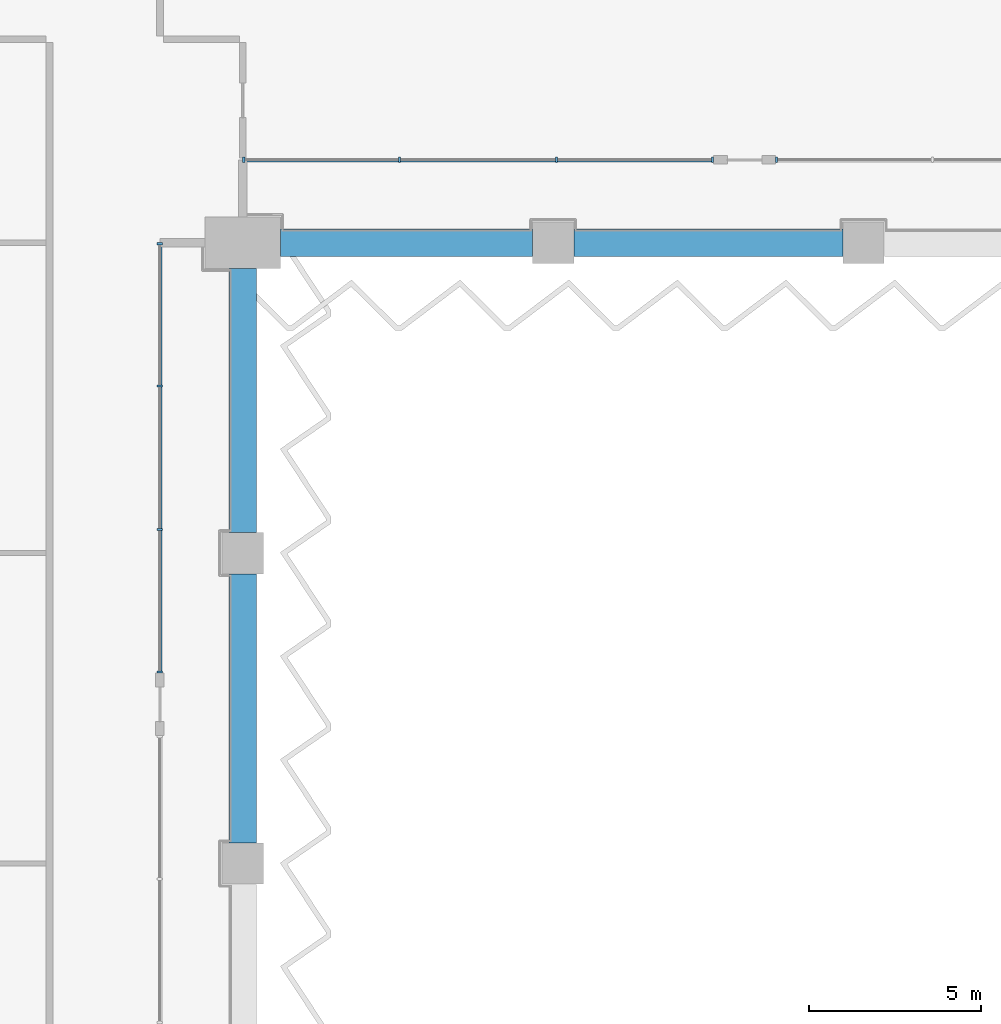
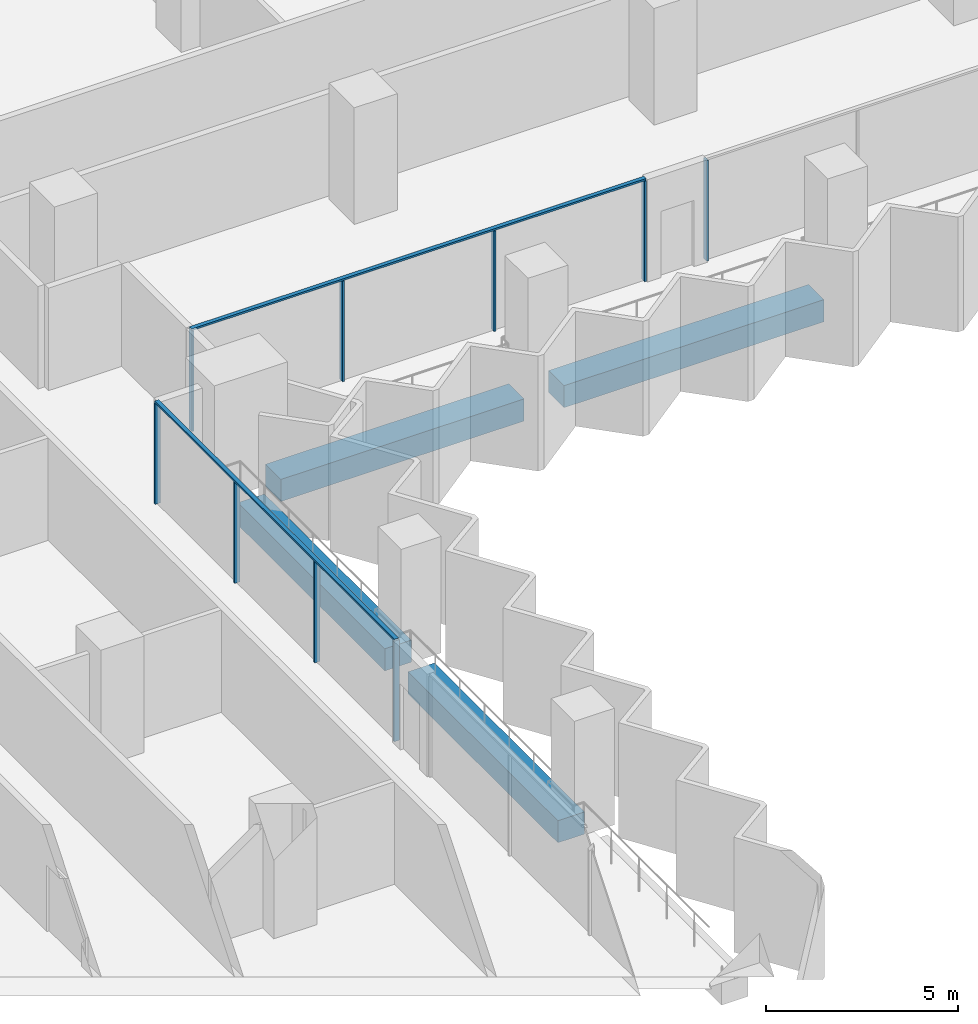
# One storey, part 4 of 23: 11 members, 4 beams, 3 elements without a shape of their own.
"""IFC4 building model written with IfcOpenShell, lengths in metres."""

from ifc_helpers import new_model, si_unit, direction, frame, origin, origin_2d, place, context, subcontext, project, spatial, rectangle, extrude, material, material_profile, profile_set, type_object, element, aggregate, save


model = new_model("IFC4")

# Units and contexts
model_context = context("Model", 3, precision=1e-05, world=origin(), true_north=direction((0.0, 1.0)))
body_context = subcontext(model_context, "Body", "Model", "MODEL_VIEW")
ifc_project = project(units=[si_unit("LENGTHUNIT", "METRE"), si_unit("AREAUNIT", "SQUARE_METRE"), si_unit("VOLUMEUNIT", "CUBIC_METRE"), si_unit("PLANEANGLEUNIT", "RADIAN"), si_unit("MASSUNIT", "GRAM", prefix="KILO")], contexts=[model_context])

# Site, building, storey
site_placement = place(None, origin())
site = spatial("IfcSite", under=ifc_project, at=site_placement, CompositionType="ELEMENT")
building_placement = place(site_placement, origin())
building = spatial("IfcBuilding", under=site, at=building_placement, Name="Hunhe Ridgeline Campus", CompositionType="ELEMENT")
storey_placement = place(building_placement, frame((0.0, 0.0, 125.5)))
storey = spatial("IfcBuildingStorey", under=building, at=storey_placement, Name="L31", CompositionType="ELEMENT", Elevation=125.5)

# Curtain wall, members
ifc_material_1 = material(Name="Aluminium 6063", Category="aluminium")
curtain_wall_type = type_object("IfcCurtainWallType", Name="Curtain wall CW-1", PredefinedType="NOTDEFINED", material=ifc_material_1)
curtain_wall_1_placement = place(storey_placement, origin())
curtain_wall_1 = element("IfcCurtainWall", 1, at=curtain_wall_1_placement, inside=storey, type_object=curtain_wall_type, Name="Curtain wall 12", PredefinedType="NOTDEFINED")
ifc_material_profile_1 = material_profile(ifc_material_1, rectangle(XDim=0.159912109375, YDim=0.06005859375, at=origin_2d()))
ifc_profile_set_1 = profile_set([ifc_material_profile_1], Name="Aluminium 6063")
member_type_1 = type_object("IfcMemberType", Name="CW-1 aluminium mullion", PredefinedType="MULLION", material=ifc_profile_set_1)
member_1_placement = place(storey_placement, frame((42.59912109375, 41.548583984375, 0.0), z_axis=(0.0, 0.0, 1.0), x_axis=(-0.99999999994, 1.0975712e-05, 0.0)))
member_1 = element("IfcMember", 2, at=member_1_placement, type_object=member_type_1, Name="CW-1 mullion 1", PredefinedType="MULLION", context=body_context, shape_type="SweptSolid", body=[
    extrude(rectangle(XDim=0.159912109375, YDim=0.06005859375, at=origin_2d()), origin(), (0.0, 0.0, 1.0), 3.18994140625),
])
member_2_placement = place(storey_placement, frame((42.59912109375, 45.67919921875, 0.0), z_axis=(0.0, 0.0, 1.0), x_axis=(-0.99999999994, 1.0975712e-05, 0.0)))
member_2 = element("IfcMember", 3, at=member_2_placement, type_object=member_type_1, Name="CW-1 mullion 2", PredefinedType="MULLION", context=body_context, shape_type="SweptSolid", body=[
    extrude(rectangle(XDim=0.159912109375, YDim=0.06005859375, at=origin_2d()), origin(), (0.0, 0.0, 1.0), 3.18994140625),
])
member_3_placement = place(storey_placement, frame((42.599365234375, 49.840087890625, 0.0), z_axis=(0.0, 0.0, 1.0), x_axis=(-0.99999999994, 1.0975712e-05, 0.0)))
member_3 = element("IfcMember", 4, at=member_3_placement, type_object=member_type_1, Name="CW-1 mullion 3", PredefinedType="MULLION", context=body_context, shape_type="SweptSolid", body=[
    extrude(rectangle(XDim=0.159912109375, YDim=0.06005859375, at=origin_2d()), origin(), (0.0, 0.0, 1.0), 3.18994140625),
])
member_4_placement = place(storey_placement, frame((42.599365234375, 53.970703125, 0.0), z_axis=(0.0, 0.0, 1.0), x_axis=(-0.99999999994, 1.0975712e-05, 0.0)))
member_4 = element("IfcMember", 5, at=member_4_placement, type_object=member_type_1, Name="CW-1 mullion 4", PredefinedType="MULLION", context=body_context, shape_type="SweptSolid", body=[
    extrude(rectangle(XDim=0.159912109375, YDim=0.06005859375, at=origin_2d()), origin(), (0.0, 0.0, 1.0), 3.18994140625),
])

curtain_wall_2_placement = place(storey_placement, origin())
curtain_wall_2 = element("IfcCurtainWall", 6, at=curtain_wall_2_placement, inside=storey, type_object=curtain_wall_type, Name="Curtain wall 13", PredefinedType="NOTDEFINED")
member_5_placement = place(storey_placement, frame((45.02978515625, 56.40087890625, 0.0), z_axis=(0.0, 0.0, 1.0), x_axis=(-1.4652e-07, 1.0, 0.0)))
member_5 = element("IfcMember", 7, at=member_5_placement, type_object=member_type_1, Name="CW-1 mullion 1", PredefinedType="MULLION", context=body_context, shape_type="SweptSolid", body=[
    extrude(rectangle(XDim=0.159912109375, YDim=0.06005859375, at=origin_2d()), origin(), (0.0, 0.0, 1.0), 3.18994140625),
])
member_6_placement = place(storey_placement, frame((49.5498046875, 56.40087890625, 0.0), z_axis=(0.0, 0.0, 1.0), x_axis=(-1.4652e-07, 1.0, 0.0)))
member_6 = element("IfcMember", 8, at=member_6_placement, type_object=member_type_1, Name="CW-1 mullion 2", PredefinedType="MULLION", context=body_context, shape_type="SweptSolid", body=[
    extrude(rectangle(XDim=0.159912109375, YDim=0.06005859375, at=origin_2d()), origin(), (0.0, 0.0, 1.0), 3.18994140625),
])
member_7_placement = place(storey_placement, frame((54.099609375, 56.40087890625, 0.0), z_axis=(0.0, 0.0, 1.0), x_axis=(-1.4652e-07, 1.0, 0.0)))
member_7 = element("IfcMember", 9, at=member_7_placement, type_object=member_type_1, Name="CW-1 mullion 3", PredefinedType="MULLION", context=body_context, shape_type="SweptSolid", body=[
    extrude(rectangle(XDim=0.159912109375, YDim=0.06005859375, at=origin_2d()), origin(), (0.0, 0.0, 1.0), 3.18994140625),
])
member_8_placement = place(storey_placement, frame((58.619384765625, 56.40087890625, 0.0), z_axis=(0.0, 0.0, 1.0), x_axis=(-1.4652e-07, 1.0, 0.0)))
member_8 = element("IfcMember", 10, at=member_8_placement, type_object=member_type_1, Name="CW-1 mullion 4", PredefinedType="MULLION", context=body_context, shape_type="SweptSolid", body=[
    extrude(rectangle(XDim=0.159912109375, YDim=0.06005859375, at=origin_2d()), origin(), (0.0, 0.0, 1.0), 3.18994140625),
])

# Curtain wall, member
curtain_wall_3_placement = place(storey_placement, origin())
curtain_wall_3 = element("IfcCurtainWall", 11, at=curtain_wall_3_placement, inside=storey, type_object=curtain_wall_type, Name="Curtain wall 14", PredefinedType="NOTDEFINED")
member_9_placement = place(storey_placement, frame((60.4794921875, 56.40087890625, 0.0), z_axis=(0.0, 0.0, 1.0), x_axis=(-1.4652e-07, 1.0, 0.0)))
member_9 = element("IfcMember", 12, at=member_9_placement, type_object=member_type_1, Name="CW-1 mullion 1", PredefinedType="MULLION", context=body_context, shape_type="SweptSolid", body=[
    extrude(rectangle(XDim=0.159912109375, YDim=0.06005859375, at=origin_2d()), origin(), (0.0, 0.0, 1.0), 3.18994140625),
])
aggregate(curtain_wall_3, [member_9])

# Member
ifc_material_profile_2 = material_profile(ifc_material_1, rectangle(XDim=0.1201171875, YDim=0.06005859375, at=origin_2d()))
ifc_profile_set_2 = profile_set([ifc_material_profile_2], Name="Aluminium 6063")
member_type_2 = type_object("IfcMemberType", Name="CW-1 aluminium transom", PredefinedType="USERDEFINED", material=ifc_profile_set_2)
member_10_placement = place(storey_placement, frame((42.59912109375, 41.5185546875, 3.219970703125), z_axis=(1.9559137e-05, 0.999999999809, 0.0), x_axis=(-0.999999999809, 1.9559137e-05, 0.0)))
member_10 = element("IfcMember", 13, at=member_10_placement, type_object=member_type_2, Name="CW-1 transom 1", ObjectType="TRANSOM", PredefinedType="USERDEFINED", context=body_context, shape_type="SweptSolid", body=[
    extrude(rectangle(XDim=0.1201171875, YDim=0.06005859375, at=origin_2d()), origin(), (0.0, 0.0, 1.0), 12.482177734375),
])

aggregate(curtain_wall_1, [member_10, member_1, member_2, member_3, member_4])

member_11_placement = place(storey_placement, frame((45.0, 56.40087890625, 3.219970703125), z_axis=(1.0, 0.0, 0.0), x_axis=(0.0, 1.0, 0.0)))
member_11 = element("IfcMember", 14, at=member_11_placement, type_object=member_type_2, Name="CW-1 transom 1", ObjectType="TRANSOM", PredefinedType="USERDEFINED", context=body_context, shape_type="SweptSolid", body=[
    extrude(rectangle(XDim=0.1201171875, YDim=0.06005859375, at=origin_2d()), origin(), (0.0, 0.0, 1.0), 13.6494140625),
])

aggregate(curtain_wall_2, [member_11, member_5, member_6, member_7, member_8])

# Beams
ifc_material_2 = material(Name="Concrete C60", Category="concrete")
ifc_material_profile_3 = material_profile(ifc_material_2, rectangle(XDim=0.800048828125, YDim=0.699951171875, at=origin_2d()))
ifc_profile_set_3 = profile_set([ifc_material_profile_3], Name="Concrete C60")
beam_type = type_object("IfcBeamType", Name="RC spandrel beam 800x700 Concrete C60", PredefinedType="SPANDREL", material=ifc_profile_set_3)
beam_1_placement = place(storey_placement, frame((45.0, 36.60009765625, -0.60009765625), z_axis=(0.0, 1.0, 0.0), x_axis=(-1.0, 0.0, 0.0)))
element("IfcBeam", 15, at=beam_1_placement, inside=storey, type_object=beam_type, Name="Spandrel beam B1-10 L31", PredefinedType="SPANDREL", context=body_context, shape_type="SweptSolid", body=[
    extrude(rectangle(XDim=0.800048828125, YDim=0.699951171875, at=origin_2d()), origin(), (0.0, 0.0, 1.0), 7.7998046875),
])
beam_2_placement = place(storey_placement, frame((45.0, 45.60009765625, -0.60009765625), z_axis=(0.0, 1.0, 0.0), x_axis=(-1.0, 0.0, 0.0)))
element("IfcBeam", 16, at=beam_2_placement, inside=storey, type_object=beam_type, Name="Spandrel beam B1-11 L31", PredefinedType="SPANDREL", context=body_context, shape_type="SweptSolid", body=[
    extrude(rectangle(XDim=0.800048828125, YDim=0.699951171875, at=origin_2d()), origin(), (0.0, 0.0, 1.0), 7.64990234375),
])
beam_3_placement = place(storey_placement, frame((46.10009765625, 54.0, -0.60009765625), z_axis=(1.0, 0.0, 0.0), x_axis=(0.0, 1.0, 0.0)))
element("IfcBeam", 17, at=beam_3_placement, inside=storey, type_object=beam_type, Name="Spandrel beam B1-12 L31", PredefinedType="SPANDREL", context=body_context, shape_type="SweptSolid", body=[
    extrude(rectangle(XDim=0.800048828125, YDim=0.699951171875, at=origin_2d()), origin(), (0.0, 0.0, 1.0), 7.2998046875),
])
beam_4_placement = place(storey_placement, frame((54.60009765625, 54.0, -0.60009765625), z_axis=(1.0, 0.0, 0.0), x_axis=(0.0, 1.0, 0.0)))
element("IfcBeam", 18, at=beam_4_placement, inside=storey, type_object=beam_type, Name="Spandrel beam B1-13 L31", PredefinedType="SPANDREL", context=body_context, shape_type="SweptSolid", body=[
    extrude(rectangle(XDim=0.800048828125, YDim=0.699951171875, at=origin_2d()), origin(), (0.0, 0.0, 1.0), 7.7998046875),
])

save(model, "model.ifc")
